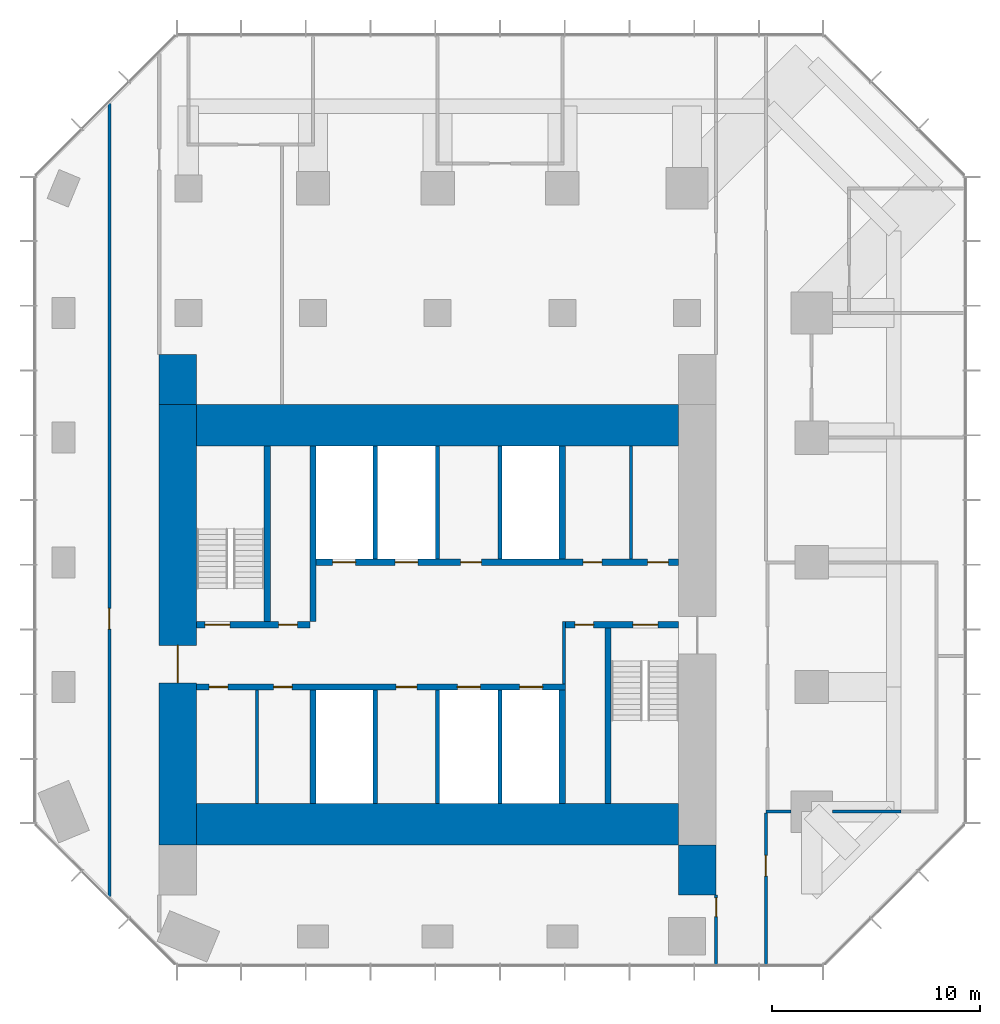
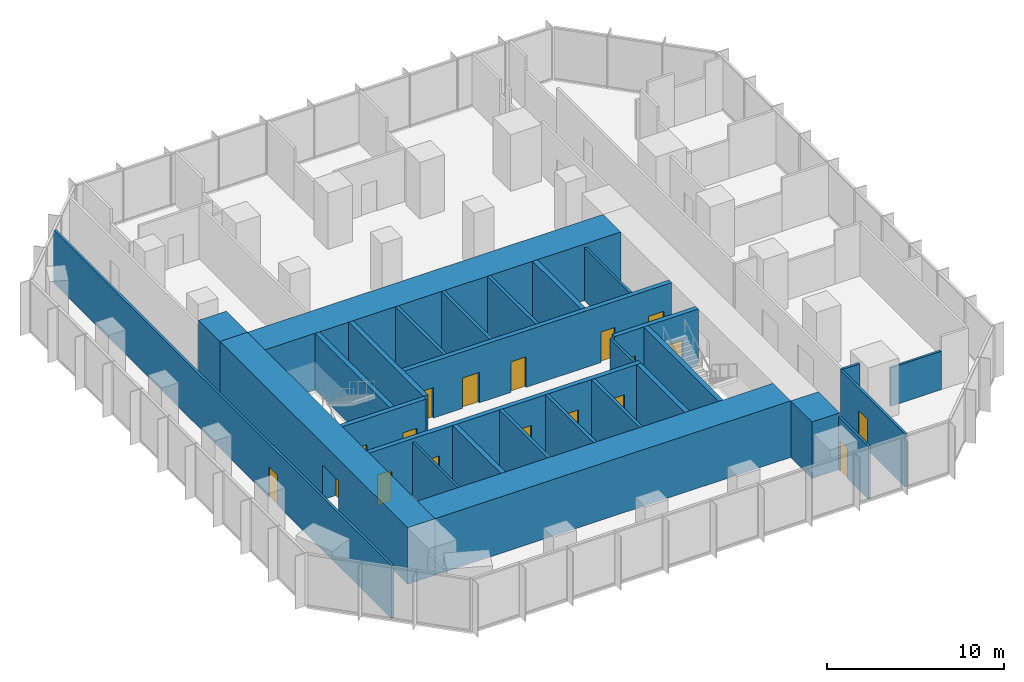
# One storey, part 8 of 11: 29 walls, 18 doors, 18 openings.
"""IFC4 building model written with IfcOpenShell, lengths in metres."""

import ifcopenshell
import ifcopenshell.guid

model = None  # the IFC model being written
_history = None  # IfcOwnerHistory: only IFC2X3 demands one
_inside = {}  # id of a spatial element -> (the spatial element, [elements in it])
_under = {}  # id of a project, library or spatial element -> (it, [spatial elements below it])
_declared = {}  # id of a project -> (the project, [libraries it declares])
_typed = {}  # id of a type object -> (the type object, [elements of that type])
_made_of = {}  # id of a material, layer set ... -> (it, [elements and type objects made of it])


def new_model(schema):
    """Start an empty IFC model of exactly this schema.

    Asked for "IFC4X3", IfcOpenShell would pick the latest addendum, in which some entities
    have other attributes; the version numbers below select the first issue.
    IFC2X3 requires an IfcOwnerHistory on every rooted entity: one is made here for all.
    """
    global model, _history
    if schema == "IFC4X3":
        model = ifcopenshell.file(schema_version=(4, 3, 0, 0))
    else:
        model = ifcopenshell.file(schema=schema)
    _inside.clear()
    _under.clear()
    _declared.clear()
    _typed.clear()
    _made_of.clear()
    _history = None
    if model.schema == "IFC2X3":
        org = make("IfcOrganization", Name="unknown")
        user = make(
            "IfcPersonAndOrganization",
            ThePerson=make("IfcPerson", FamilyName="unknown"),
            TheOrganization=org,
        )
        app = make(
            "IfcApplication",
            ApplicationDeveloper=org,
            Version="unknown",
            ApplicationFullName="unknown",
            ApplicationIdentifier="unknown",
        )
        _history = make(
            "IfcOwnerHistory",
            OwningUser=user,
            OwningApplication=app,
            ChangeAction="ADDED",
            CreationDate=0,
        )
    return model


def make(cls, **values):
    """One entity of the class cls with the attributes given. An attribute that is None is left unset."""
    return model.create_entity(
        cls, **{name: value for name, value in values.items() if value is not None}
    )


def rooted(cls, **values):
    """An entity with a GlobalId (a new one), such as an element, a storey or a relation."""
    return make(cls, GlobalId=ifcopenshell.guid.new(), OwnerHistory=_history, **values)


def si_unit(unit_type, name, prefix=None):
    """IfcSIUnit, for example si_unit("LENGTHUNIT", "METRE", prefix="MILLI")."""
    return make("IfcSIUnit", UnitType=unit_type, Prefix=prefix, Name=name)


def assignment(units):
    """IfcUnitAssignment: the units of a project."""
    return None if units is None else make("IfcUnitAssignment", Units=units)


def point(xyz):
    """IfcCartesianPoint."""
    return None if xyz is None else make("IfcCartesianPoint", Coordinates=xyz)


def direction(xyz):
    """IfcDirection."""
    return None if xyz is None else make("IfcDirection", DirectionRatios=xyz)


def frame(location, z_axis=None, x_axis=None):
    """IfcAxis2Placement3D, a coordinate frame: its origin and axes. An axis left out is left unset."""
    return make(
        "IfcAxis2Placement3D",
        Location=point(location),
        Axis=direction(z_axis),
        RefDirection=direction(x_axis),
    )


def frame_2d(location, x_axis=None):
    """IfcAxis2Placement2D, a coordinate frame in the plane: its origin and x axis."""
    return make(
        "IfcAxis2Placement2D", Location=point(location), RefDirection=direction(x_axis)
    )


def origin():
    """The frame at (0, 0, 0) with its axes left unset."""
    return frame((0.0, 0.0, 0.0))


def place(relative_to, where):
    """IfcLocalPlacement: puts the frame where relative to a parent placement (None: the world)."""
    return make(
        "IfcLocalPlacement", PlacementRelTo=relative_to, RelativePlacement=where
    )


def context(
    kind, dimensions, precision=None, world=None, true_north=None, identifier=None
):
    """IfcGeometricRepresentationContext, for example the 3D "Model" context."""
    return make(
        "IfcGeometricRepresentationContext",
        ContextIdentifier=identifier,
        ContextType=kind,
        CoordinateSpaceDimension=dimensions,
        Precision=precision,
        WorldCoordinateSystem=world,
        TrueNorth=true_north,
    )


def subcontext(parent, identifier, kind, view, scale=None):
    """IfcGeometricRepresentationSubContext, for example "Body" below "Model"."""
    return make(
        "IfcGeometricRepresentationSubContext",
        ContextIdentifier=identifier,
        ContextType=kind,
        ParentContext=parent,
        TargetScale=scale,
        TargetView=view,
    )


def project(units=None, contexts=None):
    """IfcProject with its units and contexts."""
    return rooted(
        "IfcProject",
        Name="project",
        RepresentationContexts=contexts,
        UnitsInContext=assignment(units),
    )


def spatial(cls, under=None, at=None, **own):
    """A site, building, storey or space (cls), placed at a placement, below another one or the project."""
    s = rooted(cls, ObjectPlacement=at, **own)
    if under is not None:
        _under.setdefault(under.id(), (under, []))[1].append(s)
    return s


def profile(cls, at=None, kind="AREA", **sizes):
    """A parametric profile (cls). Its sizes go by their IFC names, for example OverallWidth=200.0."""
    return make(cls, ProfileType=kind, Position=at, **sizes)


def rectangle(**sizes):
    """IfcRectangleProfileDef."""
    return profile("IfcRectangleProfileDef", **sizes)


def extrude(swept, where, along, depth):
    """IfcExtrudedAreaSolid: the profile swept, set in the frame where, extruded along a direction by depth."""
    return make(
        "IfcExtrudedAreaSolid",
        SweptArea=swept,
        Position=where,
        ExtrudedDirection=direction(along),
        Depth=depth,
    )


def shape(context_of_items, identifier, shape_type, items):
    """IfcShapeRepresentation: the items that make up one representation, for example the "Body"."""
    return make(
        "IfcShapeRepresentation",
        ContextOfItems=context_of_items,
        RepresentationIdentifier=identifier,
        RepresentationType=shape_type,
        Items=items,
    )


def material(Name=None, Category=None):
    """IfcMaterial."""
    return make("IfcMaterial", Name=Name, Category=Category)


def layer(
    of_material, thickness, ventilated=None, Name=None, Category=None, Priority=None
):
    """IfcMaterialLayer: one layer of a wall or slab, of a material (None: an air gap)."""
    return make(
        "IfcMaterialLayer",
        Material=of_material,
        LayerThickness=thickness,
        IsVentilated=ventilated,
        Name=Name,
        Category=Category,
        Priority=Priority,
    )


def layer_set(layers, Name=None):
    """IfcMaterialLayerSet."""
    return make("IfcMaterialLayerSet", MaterialLayers=layers, LayerSetName=Name)


def made_of(thing, what):
    """Note that an element or type object is made of a material, layer set ...; save() writes the relation."""
    if what is not None:
        _made_of.setdefault(what.id(), (what, []))[1].append(thing)
    return thing


def type_object(cls, material=None, **own):
    """A type object (cls), such as IfcWallType, which elements share."""
    return made_of(rooted(cls, **own), material)


def element(
    cls,
    number,
    at=None,
    inside=None,
    cuts=None,
    type_object=None,
    material=None,
    context=None,
    identifier="Body",
    shape_type=None,
    held_by="IfcProductDefinitionShape",
    body=None,
    shapes=None,
    **own,
):
    """One element of the class cls, such as IfcWall. Its Tag is "e" and its number.

    at: its placement. inside: the storey or other place that contains it. cuts: it is an
    opening in that element (IfcRelVoidsElement). A single representation is given by context,
    identifier, shape_type and body (its items); several are given by shapes. held_by: the class
    of the entity that holds the representations. save() writes the other relations.
    """
    e = rooted(cls, Tag="e%d" % number, ObjectPlacement=at, **own)
    if body is not None:
        shapes = [shape(context, identifier, shape_type, body)]
    if shapes is not None:
        e.Representation = make(held_by, Representations=shapes)
    if inside is not None:
        _inside.setdefault(inside.id(), (inside, []))[1].append(e)
    if cuts is not None:
        rooted(
            "IfcRelVoidsElement", RelatingBuildingElement=cuts, RelatedOpeningElement=e
        )
    if type_object is not None:
        _typed.setdefault(type_object.id(), (type_object, []))[1].append(e)
    return made_of(e, material)


def fill(opening, filler):
    """IfcRelFillsElement: the door or window that sits in an opening."""
    return rooted(
        "IfcRelFillsElement",
        RelatingOpeningElement=opening,
        RelatedBuildingElement=filler,
    )


def aggregate(whole, parts):
    """IfcRelAggregates: a whole, such as a stair, and the parts it consists of."""
    return rooted("IfcRelAggregates", RelatingObject=whole, RelatedObjects=parts)


def save(model, path):
    """Write the relations noted so far, then the file.

    IfcRelAggregates (storeys below a building ...), IfcRelContainedInSpatialStructure (elements
    in a storey), IfcRelDefinesByType, IfcRelAssociatesMaterial and IfcRelDeclares: one each for
    every whole, place, type object, material and project.
    """
    for whole, parts in _under.values():
        aggregate(whole, parts)
    for where, things in _inside.values():
        rooted(
            "IfcRelContainedInSpatialStructure",
            RelatedElements=things,
            RelatingStructure=where,
        )
    for kind, things in _typed.values():
        rooted("IfcRelDefinesByType", RelatedObjects=things, RelatingType=kind)
    for what, things in _made_of.values():
        rooted("IfcRelAssociatesMaterial", RelatedObjects=things, RelatingMaterial=what)
    for by, libraries in _declared.values():
        rooted("IfcRelDeclares", RelatingContext=by, RelatedDefinitions=libraries)
    model.write(path)


model = new_model("IFC4")

# Units and contexts
model_context = context("Model", 3, precision=1e-05, world=origin(), true_north=direction((0.0, 1.0)))
body_context = subcontext(model_context, "Body", "Model", "MODEL_VIEW")
ifc_project = project(units=[si_unit("LENGTHUNIT", "METRE"), si_unit("AREAUNIT", "SQUARE_METRE"), si_unit("VOLUMEUNIT", "CUBIC_METRE"), si_unit("PLANEANGLEUNIT", "RADIAN"), si_unit("MASSUNIT", "GRAM", prefix="KILO")], contexts=[model_context])

# Site, building, storey
site_placement = place(None, origin())
site = spatial("IfcSite", under=ifc_project, at=site_placement, CompositionType="ELEMENT")
building_placement = place(site_placement, origin())
building = spatial("IfcBuilding", under=site, at=building_placement, Name="Highveld Stack Headquarters", CompositionType="ELEMENT")
storey_placement = place(building_placement, frame((0.0, 0.0, 169.39990234375)))
storey = spatial("IfcBuildingStorey", under=building, at=storey_placement, Name="L41", CompositionType="ELEMENT", Elevation=169.39990234375)

# Wall, opening, door
ifc_material_1 = material(Name="Concrete C60/75", Category="concrete")
ifc_layer_1 = layer(ifc_material_1, 1.800048828125)
ifc_layer_set_1 = layer_set([ifc_layer_1], Name="Concrete C60/75")
wall_type_1 = type_object("IfcWallType", Name="CORE WALL 1800 C60/75", PredefinedType="SHEAR", material=ifc_layer_set_1)
wall_1_placement = place(storey_placement, frame((-6.5, -7.60009765625, 0.0), z_axis=(0.0, 0.0, 1.0), x_axis=(0.0, 1.0, 0.0)))
wall_1 = element("IfcWall", 1, at=wall_1_placement, inside=storey, type_object=wall_type_1, Name="Core wall W L41", PredefinedType="SHEAR", context=body_context, shape_type="SweptSolid", body=[
    extrude(rectangle(XDim=21.2001953125, YDim=1.800048828125, at=frame_2d((10.60009765625, 0.0))), origin(), (0.0, 0.0, 1.0), 3.900146484375),
])
opening_1_placement = place(wall_1_placement, frame((7.800048828125, 0.0, 0.0)))
opening_1 = element("IfcOpeningElement", 2, at=opening_1_placement, cuts=wall_1, Name="Opening L41-01", PredefinedType="OPENING", context=body_context, shape_type="SweptSolid", body=[
    extrude(rectangle(XDim=1.800048828125, YDim=2.39990234375, at=frame_2d((0.89990234375, 1.199951171875))), frame((0.0, 0.909912109375, 0.0), z_axis=(0.0, -1.0, 0.0), x_axis=(1.0, 0.0, 0.0)), (0.0, 0.0, 1.0), 1.820068359375),
])
ifc_material_2 = material(Name="Steel fire door", Category="steel")
door_type_1 = type_object("IfcDoorType", Name="LOBBY FIRE DOOR D4 1800x2400", OperationType="DOUBLE_DOOR_SINGLE_SWING", PredefinedType="DOOR", material=ifc_material_2)
door_1_placement = place(opening_1_placement, origin())
door_1 = element("IfcDoor", 3, at=door_1_placement, inside=storey, type_object=door_type_1, Name="Core west door L41", OperationType="DOUBLE_DOOR_SINGLE_SWING", OverallHeight=2.39990234375, OverallWidth=1.800048828125, PredefinedType="DOOR", context=body_context, shape_type="SweptSolid", body=[
    extrude(rectangle(XDim=1.800048828125, YDim=2.39990234375, at=frame_2d((0.89990234375, 1.199951171875))), frame((0.0, 0.02490234375, 0.0), z_axis=(0.0, -1.0, 0.0), x_axis=(1.0, 0.0, 0.0)), (0.0, 0.0, 1.0), 0.050048828125),
])
fill(opening_1, door_1)

# Walls
ifc_material_3 = material(Name="Concrete C60/75", Category="concrete")
ifc_layer_2 = layer(ifc_material_3, 2.0)
ifc_layer_set_2 = layer_set([ifc_layer_2], Name="Concrete C60/75")
wall_type_2 = type_object("IfcWallType", Name="CORE WALL 2000 C60/75", PredefinedType="SHEAR", material=ifc_layer_set_2)
for number, where, z_axis, x_axis, name in (
    (4, (-5.60009765625, -6.60009765625, 0.0), (0.0, 0.0, 1.0), (1.0, 0.0, 0.0), "Core wall S L41"),
    (5, (-5.60009765625, 12.60009765625, 0.0), (0.0, 0.0, 1.0), (1.0, 0.0, 0.0), "Core wall N L41"),
):
    element("IfcWall", number, at=place(storey_placement, frame(where, z_axis=z_axis, x_axis=x_axis)), inside=storey, type_object=wall_type_2, Name=name, PredefinedType="SHEAR", context=body_context, shape_type="SweptSolid", body=[
        extrude(rectangle(XDim=23.2001953125, YDim=2.0, at=frame_2d((11.60009765625, 0.0))), origin(), (0.0, 0.0, 1.0), 3.900146484375),
    ])

# Wall, openings, doors
ifc_material_4 = material(Name="Concrete C60/75", Category="concrete")
ifc_layer_3 = layer(ifc_material_4, 0.300048828125)
ifc_layer_set_3 = layer_set([ifc_layer_3], Name="Concrete C60/75")
wall_type_3 = type_object("IfcWallType", Name="CORE WALL 300 C60/75", PredefinedType="SHEAR", material=ifc_layer_set_3)
wall_2_placement = place(storey_placement, frame((-5.60009765625, 0.0, 0.0), z_axis=(0.0, 0.0, 1.0), x_axis=(1.0, 0.0, 0.0)))
wall_2 = element("IfcWall", 6, at=wall_2_placement, inside=storey, type_object=wall_type_3, Name="Core wall I-Y0 L41", PredefinedType="SHEAR", context=body_context, shape_type="SweptSolid", body=[
    extrude(rectangle(XDim=17.75, YDim=0.300048828125, at=frame_2d((8.875, 0.0))), origin(), (0.0, 0.0, 1.0), 3.900146484375),
])
opening_2_placement = place(wall_2_placement, frame((0.60009765625, 0.0, 0.0)))
opening_2 = element("IfcOpeningElement", 7, at=opening_2_placement, cuts=wall_2, Name="Opening L41-07", PredefinedType="OPENING", context=body_context, shape_type="SweptSolid", body=[
    extrude(rectangle(XDim=0.89990234375, YDim=2.10009765625, at=frame_2d((0.449951171875, 1.050048828125))), frame((0.0, 0.159912109375, 0.0), z_axis=(0.0, -1.0, 0.0), x_axis=(1.0, 0.0, 0.0)), (0.0, 0.0, 1.0), 0.320068359375),
])
opening_3_placement = place(wall_2_placement, frame((3.699951171875, 0.0, 0.0)))
opening_3 = element("IfcOpeningElement", 8, at=opening_3_placement, cuts=wall_2, Name="Opening L41-08", PredefinedType="OPENING", context=body_context, shape_type="SweptSolid", body=[
    extrude(rectangle(XDim=0.89990234375, YDim=2.10009765625, at=frame_2d((0.449951171875, 1.050048828125))), frame((0.0, 0.159912109375, 0.0), z_axis=(0.0, -1.0, 0.0), x_axis=(1.0, 0.0, 0.0)), (0.0, 0.0, 1.0), 0.320068359375),
])
opening_4_placement = place(wall_2_placement, frame((9.60009765625, 0.0, 0.0)))
opening_4 = element("IfcOpeningElement", 9, at=opening_4_placement, cuts=wall_2, Name="Opening L41-12", PredefinedType="OPENING", context=body_context, shape_type="SweptSolid", body=[
    extrude(rectangle(XDim=1.0, YDim=2.10009765625, at=frame_2d((0.5, 1.050048828125))), frame((0.0, 0.159912109375, 0.0), z_axis=(0.0, -1.0, 0.0), x_axis=(1.0, 0.0, 0.0)), (0.0, 0.0, 1.0), 0.320068359375),
])
opening_5_placement = place(wall_2_placement, frame((12.550048828125, 0.0, 0.0)))
opening_5 = element("IfcOpeningElement", 10, at=opening_5_placement, cuts=wall_2, Name="Opening LD", PredefinedType="OPENING", context=body_context, shape_type="SweptSolid", body=[
    extrude(rectangle(XDim=1.10009765625, YDim=2.10009765625, at=frame_2d((0.550048828125, 1.050048828125))), frame((0.0, 0.159912109375, 0.0), z_axis=(0.0, -1.0, 0.0), x_axis=(1.0, 0.0, 0.0)), (0.0, 0.0, 1.0), 0.320068359375),
])
opening_6_placement = place(wall_2_placement, frame((15.550048828125, 0.0, 0.0)))
opening_6 = element("IfcOpeningElement", 11, at=opening_6_placement, cuts=wall_2, Name="Opening LD", PredefinedType="OPENING", context=body_context, shape_type="SweptSolid", body=[
    extrude(rectangle(XDim=1.10009765625, YDim=2.10009765625, at=frame_2d((0.550048828125, 1.050048828125))), frame((0.0, 0.159912109375, 0.0), z_axis=(0.0, -1.0, 0.0), x_axis=(1.0, 0.0, 0.0)), (0.0, 0.0, 1.0), 0.320068359375),
])
ifc_material_5 = material(Name="Steel fire door", Category="steel")
door_type_2 = type_object("IfcDoorType", Name="CORE ROOM FIRE DOOR D14 1000x2100", OperationType="SINGLE_SWING_LEFT", PredefinedType="DOOR", material=ifc_material_5)
door_2_placement = place(opening_4_placement, origin())
door_2 = element("IfcDoor", 12, at=door_2_placement, inside=storey, type_object=door_type_2, Name="Capped B 1 door L41", OperationType="SINGLE_SWING_RIGHT", OverallHeight=2.10009765625, OverallWidth=1.0, PredefinedType="DOOR", context=body_context, shape_type="SweptSolid", body=[
    extrude(rectangle(XDim=1.0, YDim=2.10009765625, at=frame_2d((0.5, 1.050048828125))), frame((0.0, 0.02490234375, 0.0), z_axis=(0.0, -1.0, 0.0), x_axis=(1.0, 0.0, 0.0)), (0.0, 0.0, 1.0), 0.050048828125),
])
fill(opening_4, door_2)
ifc_material_6 = material(Name="Stainless steel lift landing door", Category="steel")
door_type_3 = type_object("IfcDoorType", Name="LIFT LANDING DOOR LD 1100x2100", OperationType="DOUBLE_DOOR_SLIDING", PredefinedType="USERDEFINED", material=ifc_material_6)
door_3_placement = place(opening_5_placement, origin())
door_3 = element("IfcDoor", 13, at=door_3_placement, inside=storey, type_object=door_type_3, Name="Lift landing door C1 L41", ObjectType="LIFT LANDING DOOR", OperationType="DOUBLE_DOOR_SLIDING", OverallHeight=2.10009765625, OverallWidth=1.10009765625, PredefinedType="USERDEFINED", context=body_context, shape_type="SweptSolid", body=[
    extrude(rectangle(XDim=1.10009765625, YDim=2.10009765625, at=frame_2d((0.550048828125, 1.050048828125))), frame((0.0, 0.02490234375, 0.0), z_axis=(0.0, -1.0, 0.0), x_axis=(1.0, 0.0, 0.0)), (0.0, 0.0, 1.0), 0.050048828125),
])
fill(opening_5, door_3)
door_4_placement = place(opening_6_placement, origin())
door_4 = element("IfcDoor", 14, at=door_4_placement, inside=storey, type_object=door_type_3, Name="Lift landing door C2 L41", ObjectType="LIFT LANDING DOOR", OperationType="DOUBLE_DOOR_SLIDING", OverallHeight=2.10009765625, OverallWidth=1.10009765625, PredefinedType="USERDEFINED", context=body_context, shape_type="SweptSolid", body=[
    extrude(rectangle(XDim=1.10009765625, YDim=2.10009765625, at=frame_2d((0.550048828125, 1.050048828125))), frame((0.0, 0.02490234375, 0.0), z_axis=(0.0, -1.0, 0.0), x_axis=(1.0, 0.0, 0.0)), (0.0, 0.0, 1.0), 0.050048828125),
])
fill(opening_6, door_4)
ifc_material_7 = material(Name="Timber door, painted", Category="wood")
door_type_4 = type_object("IfcDoorType", Name="WC DOOR D1 900x2100", OperationType="SINGLE_SWING_LEFT", PredefinedType="DOOR", material=ifc_material_7)
door_5_placement = place(opening_2_placement, origin())
door_5 = element("IfcDoor", 15, at=door_5_placement, inside=storey, type_object=door_type_4, Name="Female WC door L41", OperationType="SINGLE_SWING_LEFT", OverallHeight=2.10009765625, OverallWidth=0.89990234375, PredefinedType="DOOR", context=body_context, shape_type="SweptSolid", body=[
    extrude(rectangle(XDim=0.89990234375, YDim=2.10009765625, at=frame_2d((0.449951171875, 1.050048828125))), frame((0.0, 0.02490234375, 0.0), z_axis=(0.0, -1.0, 0.0), x_axis=(1.0, 0.0, 0.0)), (0.0, 0.0, 1.0), 0.050048828125),
])
fill(opening_2, door_5)
door_6_placement = place(opening_3_placement, origin())
door_6 = element("IfcDoor", 16, at=door_6_placement, inside=storey, type_object=door_type_4, Name="Shower and changing room door L41", OperationType="SINGLE_SWING_LEFT", OverallHeight=2.10009765625, OverallWidth=0.89990234375, PredefinedType="DOOR", context=body_context, shape_type="SweptSolid", body=[
    extrude(rectangle(XDim=0.89990234375, YDim=2.10009765625, at=frame_2d((0.449951171875, 1.050048828125))), frame((0.0, 0.02490234375, 0.0), z_axis=(0.0, -1.0, 0.0), x_axis=(1.0, 0.0, 0.0)), (0.0, 0.0, 1.0), 0.050048828125),
])
fill(opening_3, door_6)

wall_3_placement = place(storey_placement, frame((-5.60009765625, 3.0, 0.0), z_axis=(0.0, 0.0, 1.0), x_axis=(1.0, 0.0, 0.0)))
wall_3 = element("IfcWall", 17, at=wall_3_placement, inside=storey, type_object=wall_type_3, Name="Core wall I-Y3W L41", PredefinedType="SHEAR", context=body_context, shape_type="SweptSolid", body=[
    extrude(rectangle(XDim=5.4501953125, YDim=0.300048828125, at=frame_2d((2.72509765625, 0.0))), origin(), (0.0, 0.0, 1.0), 3.900146484375),
])
opening_7_placement = place(wall_3_placement, frame((0.39990234375, 0.0, 0.0)))
opening_7 = element("IfcOpeningElement", 18, at=opening_7_placement, cuts=wall_3, Name="Opening L41-03", PredefinedType="OPENING", context=body_context, shape_type="SweptSolid", body=[
    extrude(rectangle(XDim=1.199951171875, YDim=2.10009765625, at=frame_2d((0.60009765625, 1.050048828125))), frame((0.0, 0.159912109375, 0.0), z_axis=(0.0, -1.0, 0.0), x_axis=(1.0, 0.0, 0.0)), (0.0, 0.0, 1.0), 0.320068359375),
])
opening_8_placement = place(wall_3_placement, frame((3.949951171875, 0.0, 0.0)))
opening_8 = element("IfcOpeningElement", 19, at=opening_8_placement, cuts=wall_3, Name="Opening L41-04", PredefinedType="OPENING", context=body_context, shape_type="SweptSolid", body=[
    extrude(rectangle(XDim=0.89990234375, YDim=2.10009765625, at=frame_2d((0.449951171875, 1.050048828125))), frame((0.0, 0.159912109375, 0.0), z_axis=(0.0, -1.0, 0.0), x_axis=(1.0, 0.0, 0.0)), (0.0, 0.0, 1.0), 0.320068359375),
])
ifc_material_8 = material(Name="Steel fire door", Category="steel")
door_type_5 = type_object("IfcDoorType", Name="RISER ACCESS DOOR D5 900x2100", OperationType="SINGLE_SWING_LEFT", PredefinedType="DOOR", material=ifc_material_8)
door_7_placement = place(opening_8_placement, origin())
door_7 = element("IfcDoor", 20, at=door_7_placement, inside=storey, type_object=door_type_5, Name="Riser R1 door L41", OperationType="SINGLE_SWING_RIGHT", OverallHeight=2.10009765625, OverallWidth=0.89990234375, PredefinedType="DOOR", context=body_context, shape_type="SweptSolid", body=[
    extrude(rectangle(XDim=0.89990234375, YDim=2.10009765625, at=frame_2d((0.449951171875, 1.050048828125))), frame((0.0, 0.02490234375, 0.0), z_axis=(0.0, -1.0, 0.0), x_axis=(1.0, 0.0, 0.0)), (0.0, 0.0, 1.0), 0.050048828125),
])
fill(opening_8, door_7)
ifc_material_9 = material(Name="Steel fire door", Category="steel")
door_type_6 = type_object("IfcDoorType", Name="STAIR FIRE DOOR D3 1200x2100", OperationType="SINGLE_SWING_LEFT", PredefinedType="DOOR", material=ifc_material_9)
door_8_placement = place(opening_7_placement, origin())
door_8 = element("IfcDoor", 21, at=door_8_placement, inside=storey, type_object=door_type_6, Name="Stair S1 door L41", OperationType="SINGLE_SWING_LEFT", OverallHeight=2.10009765625, OverallWidth=1.199951171875, PredefinedType="DOOR", context=body_context, shape_type="SweptSolid", body=[
    extrude(rectangle(XDim=1.199951171875, YDim=2.10009765625, at=frame_2d((0.60009765625, 1.050048828125))), frame((0.0, 0.02490234375, 0.0), z_axis=(0.0, -1.0, 0.0), x_axis=(1.0, 0.0, 0.0)), (0.0, 0.0, 1.0), 0.050048828125),
])
fill(opening_7, door_8)

wall_4_placement = place(storey_placement, frame((12.14990234375, 3.0, 0.0), z_axis=(0.0, 0.0, 1.0), x_axis=(1.0, 0.0, 0.0)))
wall_4 = element("IfcWall", 22, at=wall_4_placement, inside=storey, type_object=wall_type_3, Name="Core wall I-Y3E L41", PredefinedType="SHEAR", context=body_context, shape_type="SweptSolid", body=[
    extrude(rectangle(XDim=5.4501953125, YDim=0.300048828125, at=frame_2d((2.72509765625, 0.0))), origin(), (0.0, 0.0, 1.0), 3.900146484375),
])
opening_9_placement = place(wall_4_placement, frame((3.25, 0.0, 0.0)))
opening_9 = element("IfcOpeningElement", 23, at=opening_9_placement, cuts=wall_4, Name="Opening L41-05", PredefinedType="OPENING", context=body_context, shape_type="SweptSolid", body=[
    extrude(rectangle(XDim=1.199951171875, YDim=2.10009765625, at=frame_2d((0.60009765625, 1.050048828125))), frame((0.0, 0.159912109375, 0.0), z_axis=(0.0, -1.0, 0.0), x_axis=(1.0, 0.0, 0.0)), (0.0, 0.0, 1.0), 0.320068359375),
])
opening_10_placement = place(wall_4_placement, frame((0.449951171875, 0.0, 0.0)))
opening_10 = element("IfcOpeningElement", 24, at=opening_10_placement, cuts=wall_4, Name="Opening L41-06", PredefinedType="OPENING", context=body_context, shape_type="SweptSolid", body=[
    extrude(rectangle(XDim=0.89990234375, YDim=2.10009765625, at=frame_2d((0.449951171875, 1.050048828125))), frame((0.0, 0.159912109375, 0.0), z_axis=(0.0, -1.0, 0.0), x_axis=(1.0, 0.0, 0.0)), (0.0, 0.0, 1.0), 0.320068359375),
])
door_9_placement = place(opening_10_placement, origin())
door_9 = element("IfcDoor", 25, at=door_9_placement, inside=storey, type_object=door_type_5, Name="Riser R2 door L41", OperationType="SINGLE_SWING_LEFT", OverallHeight=2.10009765625, OverallWidth=0.89990234375, PredefinedType="DOOR", context=body_context, shape_type="SweptSolid", body=[
    extrude(rectangle(XDim=0.89990234375, YDim=2.10009765625, at=frame_2d((0.449951171875, 1.050048828125))), frame((0.0, 0.02490234375, 0.0), z_axis=(0.0, -1.0, 0.0), x_axis=(1.0, 0.0, 0.0)), (0.0, 0.0, 1.0), 0.050048828125),
])
fill(opening_10, door_9)
door_10_placement = place(opening_9_placement, origin())
door_10 = element("IfcDoor", 26, at=door_10_placement, inside=storey, type_object=door_type_6, Name="Stair S2 door L41", OperationType="SINGLE_SWING_RIGHT", OverallHeight=2.10009765625, OverallWidth=1.199951171875, PredefinedType="DOOR", context=body_context, shape_type="SweptSolid", body=[
    extrude(rectangle(XDim=1.199951171875, YDim=2.10009765625, at=frame_2d((0.60009765625, 1.050048828125))), frame((0.0, 0.02490234375, 0.0), z_axis=(0.0, -1.0, 0.0), x_axis=(1.0, 0.0, 0.0)), (0.0, 0.0, 1.0), 0.050048828125),
])
fill(opening_9, door_10)

wall_5_placement = place(storey_placement, frame((-0.14990234375, 6.0, 0.0), z_axis=(0.0, 0.0, 1.0), x_axis=(1.0, 0.0, 0.0)))
wall_5 = element("IfcWall", 27, at=wall_5_placement, inside=storey, type_object=wall_type_3, Name="Core wall I-Y6 L41", PredefinedType="SHEAR", context=body_context, shape_type="SweptSolid", body=[
    extrude(rectangle(XDim=17.75, YDim=0.300048828125, at=frame_2d((8.875, 0.0))), origin(), (0.0, 0.0, 1.0), 3.900146484375),
])
opening_11_placement = place(wall_5_placement, frame((13.14990234375, 0.0, 0.0)))
opening_11 = element("IfcOpeningElement", 28, at=opening_11_placement, cuts=wall_5, Name="Opening L41-09", PredefinedType="OPENING", context=body_context, shape_type="SweptSolid", body=[
    extrude(rectangle(XDim=0.89990234375, YDim=2.10009765625, at=frame_2d((0.449951171875, 1.050048828125))), frame((0.0, 0.159912109375, 0.0), z_axis=(0.0, -1.0, 0.0), x_axis=(1.0, 0.0, 0.0)), (0.0, 0.0, 1.0), 0.320068359375),
])
opening_12_placement = place(wall_5_placement, frame((16.25, 0.0, 0.0)))
opening_12 = element("IfcOpeningElement", 29, at=opening_12_placement, cuts=wall_5, Name="Opening L41-10", PredefinedType="OPENING", context=body_context, shape_type="SweptSolid", body=[
    extrude(rectangle(XDim=1.0, YDim=2.10009765625, at=frame_2d((0.5, 1.050048828125))), frame((0.0, 0.159912109375, 0.0), z_axis=(0.0, -1.0, 0.0), x_axis=(1.0, 0.0, 0.0)), (0.0, 0.0, 1.0), 0.320068359375),
])
opening_13_placement = place(wall_5_placement, frame((7.25, 0.0, 0.0)))
opening_13 = element("IfcOpeningElement", 30, at=opening_13_placement, cuts=wall_5, Name="Opening L41-11", PredefinedType="OPENING", context=body_context, shape_type="SweptSolid", body=[
    extrude(rectangle(XDim=1.0, YDim=2.10009765625, at=frame_2d((0.5, 1.050048828125))), frame((0.0, 0.159912109375, 0.0), z_axis=(0.0, -1.0, 0.0), x_axis=(1.0, 0.0, 0.0)), (0.0, 0.0, 1.0), 0.320068359375),
])
opening_14_placement = place(wall_5_placement, frame((1.10009765625, 0.0, 0.0)))
opening_14 = element("IfcOpeningElement", 31, at=opening_14_placement, cuts=wall_5, Name="Opening LD", PredefinedType="OPENING", context=body_context, shape_type="SweptSolid", body=[
    extrude(rectangle(XDim=1.10009765625, YDim=2.10009765625, at=frame_2d((0.550048828125, 1.050048828125))), frame((0.0, 0.159912109375, 0.0), z_axis=(0.0, -1.0, 0.0), x_axis=(1.0, 0.0, 0.0)), (0.0, 0.0, 1.0), 0.320068359375),
])
opening_15_placement = place(wall_5_placement, frame((4.10009765625, 0.0, 0.0)))
opening_15 = element("IfcOpeningElement", 32, at=opening_15_placement, cuts=wall_5, Name="Opening LD", PredefinedType="OPENING", context=body_context, shape_type="SweptSolid", body=[
    extrude(rectangle(XDim=1.10009765625, YDim=2.10009765625, at=frame_2d((0.550048828125, 1.050048828125))), frame((0.0, 0.159912109375, 0.0), z_axis=(0.0, -1.0, 0.0), x_axis=(1.0, 0.0, 0.0)), (0.0, 0.0, 1.0), 0.320068359375),
])
ifc_material_10 = material(Name="Timber door, painted", Category="wood")
door_type_7 = type_object("IfcDoorType", Name="ACCESSIBLE WC DOOR D2 1000x2100", OperationType="SINGLE_SWING_RIGHT", PredefinedType="DOOR", material=ifc_material_10)
door_11_placement = place(opening_12_placement, origin())
door_11 = element("IfcDoor", 33, at=door_11_placement, inside=storey, type_object=door_type_7, Name="Accessible WC door L41", OperationType="SINGLE_SWING_RIGHT", OverallHeight=2.10009765625, OverallWidth=1.0, PredefinedType="DOOR", context=body_context, shape_type="SweptSolid", body=[
    extrude(rectangle(XDim=1.0, YDim=2.10009765625, at=frame_2d((0.5, 1.050048828125))), frame((0.0, 0.02490234375, 0.0), z_axis=(0.0, -1.0, 0.0), x_axis=(1.0, 0.0, 0.0)), (0.0, 0.0, 1.0), 0.050048828125),
])
fill(opening_12, door_11)
door_12_placement = place(opening_13_placement, origin())
door_12 = element("IfcDoor", 34, at=door_12_placement, inside=storey, type_object=door_type_2, Name="Capped A 1 door L41", OperationType="SINGLE_SWING_LEFT", OverallHeight=2.10009765625, OverallWidth=1.0, PredefinedType="DOOR", context=body_context, shape_type="SweptSolid", body=[
    extrude(rectangle(XDim=1.0, YDim=2.10009765625, at=frame_2d((0.5, 1.050048828125))), frame((0.0, 0.02490234375, 0.0), z_axis=(0.0, -1.0, 0.0), x_axis=(1.0, 0.0, 0.0)), (0.0, 0.0, 1.0), 0.050048828125),
])
fill(opening_13, door_12)
door_13_placement = place(opening_14_placement, origin())
door_13 = element("IfcDoor", 35, at=door_13_placement, inside=storey, type_object=door_type_3, Name="Lift landing door FF1 L41", ObjectType="LIFT LANDING DOOR", OperationType="DOUBLE_DOOR_SLIDING", OverallHeight=2.10009765625, OverallWidth=1.10009765625, PredefinedType="USERDEFINED", context=body_context, shape_type="SweptSolid", body=[
    extrude(rectangle(XDim=1.10009765625, YDim=2.10009765625, at=frame_2d((0.550048828125, 1.050048828125))), frame((0.0, 0.02490234375, 0.0), z_axis=(0.0, -1.0, 0.0), x_axis=(1.0, 0.0, 0.0)), (0.0, 0.0, 1.0), 0.050048828125),
])
fill(opening_14, door_13)
door_14_placement = place(opening_15_placement, origin())
door_14 = element("IfcDoor", 36, at=door_14_placement, inside=storey, type_object=door_type_3, Name="Lift landing door FF2 L41", ObjectType="LIFT LANDING DOOR", OperationType="DOUBLE_DOOR_SLIDING", OverallHeight=2.10009765625, OverallWidth=1.10009765625, PredefinedType="USERDEFINED", context=body_context, shape_type="SweptSolid", body=[
    extrude(rectangle(XDim=1.10009765625, YDim=2.10009765625, at=frame_2d((0.550048828125, 1.050048828125))), frame((0.0, 0.02490234375, 0.0), z_axis=(0.0, -1.0, 0.0), x_axis=(1.0, 0.0, 0.0)), (0.0, 0.0, 1.0), 0.050048828125),
])
fill(opening_15, door_14)
door_15_placement = place(opening_11_placement, origin())
door_15 = element("IfcDoor", 37, at=door_15_placement, inside=storey, type_object=door_type_4, Name="Male WC door L41", OperationType="SINGLE_SWING_RIGHT", OverallHeight=2.10009765625, OverallWidth=0.89990234375, PredefinedType="DOOR", context=body_context, shape_type="SweptSolid", body=[
    extrude(rectangle(XDim=0.89990234375, YDim=2.10009765625, at=frame_2d((0.449951171875, 1.050048828125))), frame((0.0, 0.02490234375, 0.0), z_axis=(0.0, -1.0, 0.0), x_axis=(1.0, 0.0, 0.0)), (0.0, 0.0, 1.0), 0.050048828125),
])
fill(opening_11, door_15)

# Walls
wall_6_placement = place(storey_placement, frame((0.0, -5.60009765625, 0.0), z_axis=(0.0, 0.0, 1.0), x_axis=(0.0, 1.0, 0.0)))
element("IfcWall", 38, at=wall_6_placement, inside=storey, type_object=wall_type_3, Name="Core wall I-X0S L41", PredefinedType="SHEAR", context=body_context, shape_type="SweptSolid", body=[
    extrude(rectangle(XDim=5.4501953125, YDim=0.300048828125, at=frame_2d((2.72509765625, 0.0))), origin(), (0.0, 0.0, 1.0), 3.900146484375),
])
wall_7_placement = place(storey_placement, frame((0.0, 3.14990234375, 0.0), z_axis=(0.0, 0.0, 1.0), x_axis=(0.0, 1.0, 0.0)))
element("IfcWall", 39, at=wall_7_placement, inside=storey, type_object=wall_type_3, Name="Core wall I-X0N L41", PredefinedType="SHEAR", context=body_context, shape_type="SweptSolid", body=[
    extrude(rectangle(XDim=8.4501953125, YDim=0.300048828125, at=frame_2d((4.22509765625, 0.0))), origin(), (0.0, 0.0, 1.0), 3.900146484375),
])
for number, where, z_axis, x_axis, name in (
    (40, (12.0, -5.60009765625, 0.0), (0.0, 0.0, 1.0), (0.0, 1.0, 0.0), "Core wall I-X12S L41"),
    (41, (12.0, 6.14990234375, 0.0), (0.0, 0.0, 1.0), (0.0, 1.0, 0.0), "Core wall I-X12N L41"),
):
    element("IfcWall", number, at=place(storey_placement, frame(where, z_axis=z_axis, x_axis=x_axis)), inside=storey, type_object=wall_type_3, Name=name, PredefinedType="SHEAR", context=body_context, shape_type="SweptSolid", body=[
        extrude(rectangle(XDim=5.4501953125, YDim=0.300048828125, at=frame_2d((2.72509765625, 0.0))), origin(), (0.0, 0.0, 1.0), 3.900146484375),
    ])
for number, where, z_axis, x_axis, name in (
    (42, (-2.199951171875, 3.14990234375, 0.0), (0.0, 0.0, 1.0), (0.0, 1.0, 0.0), "Core wall I-RW L41"),
    (43, (14.199951171875, -5.60009765625, 0.0), (0.0, 0.0, 1.0), (0.0, 1.0, 0.0), "Core wall I-RE L41"),
):
    element("IfcWall", number, at=place(storey_placement, frame(where, z_axis=z_axis, x_axis=x_axis)), inside=storey, type_object=wall_type_3, Name=name, PredefinedType="SHEAR", context=body_context, shape_type="SweptSolid", body=[
        extrude(rectangle(XDim=8.4501953125, YDim=0.300048828125, at=frame_2d((4.22509765625, 0.0))), origin(), (0.0, 0.0, 1.0), 3.900146484375),
    ])
ifc_material_11 = material(Name="Concrete C60/75", Category="concrete")
ifc_layer_4 = layer(ifc_material_11, 1.800048828125)
ifc_layer_set_4 = layer_set([ifc_layer_4], Name="Concrete C60/75")
wall_type_4 = type_object("IfcWallType", Name="CORE WING WALL 1800 C60/75", PredefinedType="SHEAR", material=ifc_layer_set_4)
for number, where, z_axis, x_axis, name in (
    (44, (-6.5, 13.60009765625, 0.0), (0.0, 0.0, 1.0), (0.0, 1.0, 0.0), "Core wing wall WN L41"),
    (45, (18.5, -10.0, 0.0), (0.0, 0.0, 1.0), (0.0, 1.0, 0.0), "Core wing wall ES L41"),
):
    element("IfcWall", number, at=place(storey_placement, frame(where, z_axis=z_axis, x_axis=x_axis)), inside=storey, type_object=wall_type_4, Name=name, PredefinedType="SHEAR", context=body_context, shape_type="SweptSolid", body=[
        extrude(rectangle(XDim=2.39990234375, YDim=1.800048828125, at=frame_2d((1.199951171875, 0.0))), origin(), (0.0, 0.0, 1.0), 3.900146484375),
    ])
ifc_material_12 = material(Name="Concrete blockwork, plastered", Category="masonry")
ifc_layer_5 = layer(ifc_material_12, 0.14990234375)
ifc_layer_set_5 = layer_set([ifc_layer_5], Name="Concrete blockwork, plastered")
wall_type_5 = type_object("IfcWallType", Name="FIRE PARTITION 150 BLOCKWORK", PredefinedType="PARTITIONING", material=ifc_layer_set_5)
wall_8_placement = place(storey_placement, frame((21.800048828125, -6.0, 0.0), z_axis=(0.0, 0.0, 1.0), x_axis=(1.0, 0.0, 0.0)))
element("IfcWall", 46, at=wall_8_placement, inside=storey, type_object=wall_type_5, Name="Partition Sky lobby L41", PredefinedType="PARTITIONING", context=body_context, shape_type="SweptSolid", body=[
    extrude(rectangle(XDim=1.199951171875, YDim=0.14990234375, at=frame_2d((0.60009765625, 0.0))), origin(), (0.0, 0.0, 1.0), 3.650146484375),
])
wall_9_placement = place(storey_placement, frame((25.0, -6.0, 0.0), z_axis=(0.0, 0.0, 1.0), x_axis=(1.0, 0.0, 0.0)))
element("IfcWall", 47, at=wall_9_placement, inside=storey, type_object=wall_type_5, Name="Partition Sky lobby L41", PredefinedType="PARTITIONING", context=body_context, shape_type="SweptSolid", body=[
    extrude(rectangle(XDim=3.31005859375, YDim=0.14990234375, at=frame_2d((1.655029296875, 0.0))), origin(), (0.0, 0.0, 1.0), 2.650146484375),
])
wall_10_placement = place(storey_placement, frame((12.074951171875, 0.14990234375, 0.0), z_axis=(0.0, 0.0, 1.0), x_axis=(0.0, 1.0, 0.0)))
element("IfcWall", 48, at=wall_10_placement, inside=storey, type_object=wall_type_5, Name="Riser R2 enclosure L41", PredefinedType="PARTITIONING", context=body_context, shape_type="SweptSolid", body=[
    extrude(rectangle(XDim=3.0, YDim=0.14990234375, at=frame_2d((1.5, 0.0))), origin(), (0.0, 0.0, 1.0), 3.650146484375),
])
ifc_material_13 = material(Name="Concrete blockwork, fair-faced", Category="masonry")
ifc_layer_6 = layer(ifc_material_13, 0.199951171875)
ifc_layer_set_6 = layer_set([ifc_layer_6], Name="Concrete blockwork, fair-faced")
wall_type_6 = type_object("IfcWallType", Name="LIFT SHAFT ENCLOSURE WALL 200 BLOCKWORK", PredefinedType="SOLIDWALL", material=ifc_layer_set_6)
for number, where, z_axis, x_axis, name in (
    (49, (3.0, 6.14990234375, 0.0), (0.0, 0.0, 1.0), (0.0, 1.0, 0.0), "Lift shaft wall L41"),
    (50, (6.0, 6.14990234375, 0.0), (0.0, 0.0, 1.0), (0.0, 1.0, 0.0), "Lift shaft wall L41"),
    (51, (9.0, 6.14990234375, 0.0), (0.0, 0.0, 1.0), (0.0, 1.0, 0.0), "Lift shaft wall L41"),
    (52, (3.0, -5.60009765625, 0.0), (0.0, 0.0, 1.0), (0.0, 1.0, 0.0), "Lift shaft wall L41"),
    (53, (6.0, -5.60009765625, 0.0), (0.0, 0.0, 1.0), (0.0, 1.0, 0.0), "Lift shaft wall L41"),
    (54, (9.0, -5.60009765625, 0.0), (0.0, 0.0, 1.0), (0.0, 1.0, 0.0), "Lift shaft wall L41"),
):
    element("IfcWall", number, at=place(storey_placement, frame(where, z_axis=z_axis, x_axis=x_axis)), inside=storey, type_object=wall_type_6, Name=name, PredefinedType="SOLIDWALL", context=body_context, shape_type="SweptSolid", body=[
        extrude(rectangle(XDim=5.4501953125, YDim=0.199951171875, at=frame_2d((2.72509765625, 0.0))), origin(), (0.0, 0.0, 1.0), 3.900146484375),
    ])

# Wall, opening, door
ifc_material_14 = material(Name="Gypsum plasterboard on steel studs", Category="steel")
ifc_layer_7 = layer(ifc_material_14, 0.14990234375)
ifc_layer_set_7 = layer_set([ifc_layer_7], Name="Gypsum plasterboard on steel studs")
wall_type_7 = type_object("IfcWallType", Name="PARTITION 150 PLASTERBOARD", PredefinedType="PARTITIONING", material=ifc_layer_set_7)
wall_11_placement = place(storey_placement, frame((-9.800048828125, -10.087890625, 0.0), z_axis=(0.0, 0.0, 1.0), x_axis=(0.0, 1.0, 0.0)))
wall_11 = element("IfcWall", 55, at=wall_11_placement, inside=storey, type_object=wall_type_7, Name="Partition office neighbourhood L41", PredefinedType="PARTITIONING", context=body_context, shape_type="SweptSolid", body=[
    extrude(rectangle(XDim=38.17578125, YDim=0.14990234375, at=frame_2d((19.087890625, 0.0))), origin(), (0.0, 0.0, 1.0), 3.650146484375),
])
opening_16_placement = place(wall_11_placement, frame((12.876953125, 0.0, 0.0)))
opening_16 = element("IfcOpeningElement", 56, at=opening_16_placement, cuts=wall_11, Name="Opening L41-20", PredefinedType="OPENING", context=body_context, shape_type="SweptSolid", body=[
    extrude(rectangle(XDim=1.0, YDim=2.10009765625, at=frame_2d((0.5, 1.050048828125))), frame((0.0, 0.0849609375, 0.0), z_axis=(0.0, -1.0, 0.0), x_axis=(1.0, 0.0, 0.0)), (0.0, 0.0, 1.0), 0.169921875),
])
ifc_material_15 = material(Name="Timber door, oiled ash", Category="wood")
door_type_8 = type_object("IfcDoorType", Name="ROOM DOOR D6 1000x2100", OperationType="SINGLE_SWING_LEFT", PredefinedType="DOOR", material=ifc_material_15)
door_16_placement = place(opening_16_placement, origin())
door_16 = element("IfcDoor", 57, at=door_16_placement, inside=storey, type_object=door_type_8, Name="Office neighbourhood door L41", OperationType="SINGLE_SWING_LEFT", OverallHeight=2.10009765625, OverallWidth=1.0, PredefinedType="DOOR", context=body_context, shape_type="SweptSolid", body=[
    extrude(rectangle(XDim=1.0, YDim=2.10009765625, at=frame_2d((0.5, 1.050048828125))), frame((0.0, 0.02490234375, 0.0), z_axis=(0.0, -1.0, 0.0), x_axis=(1.0, 0.0, 0.0)), (0.0, 0.0, 1.0), 0.050048828125),
])
fill(opening_16, door_16)

wall_12_placement = place(storey_placement, frame((19.39990234375, -13.375, 0.0), z_axis=(0.0, 0.0, 1.0), x_axis=(0.0, 1.0, 0.0)))
wall_12 = element("IfcWall", 58, at=wall_12_placement, inside=storey, type_object=wall_type_7, Name="Partition office neighbourhood L41", PredefinedType="PARTITIONING", context=body_context, shape_type="SweptSolid", body=[
    extrude(rectangle(XDim=3.375, YDim=0.14990234375, at=frame_2d((1.6875, 0.0))), origin(), (0.0, 0.0, 1.0), 3.650146484375),
])
opening_17_placement = place(wall_12_placement, frame((2.324951171875, 0.0, 0.0)))
opening_17 = element("IfcOpeningElement", 59, at=opening_17_placement, cuts=wall_12, Name="Opening L41-24", PredefinedType="OPENING", context=body_context, shape_type="SweptSolid", body=[
    extrude(rectangle(XDim=0.89990234375, YDim=2.10009765625, at=frame_2d((0.449951171875, 1.050048828125))), frame((0.0, 0.0849609375, 0.0), z_axis=(0.0, -1.0, 0.0), x_axis=(1.0, 0.0, 0.0)), (0.0, 0.0, 1.0), 0.169921875),
])
ifc_material_16 = material(Name="Timber door, oiled ash", Category="wood")
door_type_9 = type_object("IfcDoorType", Name="ROOM DOOR D15 900x2100", OperationType="SINGLE_SWING_LEFT", PredefinedType="DOOR", material=ifc_material_16)
door_17_placement = place(opening_17_placement, origin())
door_17 = element("IfcDoor", 60, at=door_17_placement, inside=storey, type_object=door_type_9, Name="Office neighbourhood door L41", OperationType="SINGLE_SWING_RIGHT", OverallHeight=2.10009765625, OverallWidth=0.89990234375, PredefinedType="DOOR", context=body_context, shape_type="SweptSolid", body=[
    extrude(rectangle(XDim=0.89990234375, YDim=2.10009765625, at=frame_2d((0.449951171875, 1.050048828125))), frame((0.0, 0.02490234375, 0.0), z_axis=(0.0, -1.0, 0.0), x_axis=(1.0, 0.0, 0.0)), (0.0, 0.0, 1.0), 0.050048828125),
])
fill(opening_17, door_17)

wall_13_placement = place(storey_placement, frame((21.800048828125, -13.375, 0.0), z_axis=(0.0, 0.0, 1.0), x_axis=(0.0, 1.0, 0.0)))
wall_13 = element("IfcWall", 61, at=wall_13_placement, inside=storey, type_object=wall_type_7, Name="Partition office neighbourhood L41", PredefinedType="PARTITIONING", context=body_context, shape_type="SweptSolid", body=[
    extrude(rectangle(XDim=7.300048828125, YDim=0.14990234375, at=frame_2d((3.64990234375, 0.0))), origin(), (0.0, 0.0, 1.0), 3.650146484375),
])
opening_18_placement = place(wall_13_placement, frame((4.27099609375, 0.0, 0.0)))
opening_18 = element("IfcOpeningElement", 62, at=opening_18_placement, cuts=wall_13, Name="Opening L41-19", PredefinedType="OPENING", context=body_context, shape_type="SweptSolid", body=[
    extrude(rectangle(XDim=1.0, YDim=2.10009765625, at=frame_2d((0.5, 1.050048828125))), frame((0.0, 0.0849609375, 0.0), z_axis=(0.0, -1.0, 0.0), x_axis=(1.0, 0.0, 0.0)), (0.0, 0.0, 1.0), 0.169921875),
])
door_18_placement = place(opening_18_placement, origin())
door_18 = element("IfcDoor", 63, at=door_18_placement, inside=storey, type_object=door_type_8, Name="Office neighbourhood door L41", OperationType="SINGLE_SWING_RIGHT", OverallHeight=2.10009765625, OverallWidth=1.0, PredefinedType="DOOR", context=body_context, shape_type="SweptSolid", body=[
    extrude(rectangle(XDim=1.0, YDim=2.10009765625, at=frame_2d((0.5, 1.050048828125))), frame((0.0, 0.02490234375, 0.0), z_axis=(0.0, -1.0, 0.0), x_axis=(1.0, 0.0, 0.0)), (0.0, 0.0, 1.0), 0.050048828125),
])
fill(opening_18, door_18)

# Walls
ifc_material_17 = material(Name="Concrete blockwork, tiled", Category="masonry")
ifc_layer_8 = layer(ifc_material_17, 0.14990234375)
ifc_layer_set_8 = layer_set([ifc_layer_8], Name="Concrete blockwork, tiled")
wall_type_8 = type_object("IfcWallType", Name="WC PARTITION 150", PredefinedType="PLUMBINGWALL", material=ifc_layer_set_8)
for number, where, z_axis, x_axis, name in (
    (64, (-2.699951171875, -5.60009765625, 0.0), (0.0, 0.0, 1.0), (0.0, 1.0, 0.0), "Toilet partition L41"),
    (65, (15.300048828125, 6.14990234375, 0.0), (0.0, 0.0, 1.0), (0.0, 1.0, 0.0), "Toilet partition L41"),
):
    element("IfcWall", number, at=place(storey_placement, frame(where, z_axis=z_axis, x_axis=x_axis)), inside=storey, type_object=wall_type_8, Name=name, PredefinedType="PLUMBINGWALL", context=body_context, shape_type="SweptSolid", body=[
        extrude(rectangle(XDim=5.4501953125, YDim=0.14990234375, at=frame_2d((2.72509765625, 0.0))), origin(), (0.0, 0.0, 1.0), 3.650146484375),
    ])

save(model, "model.ifc")
